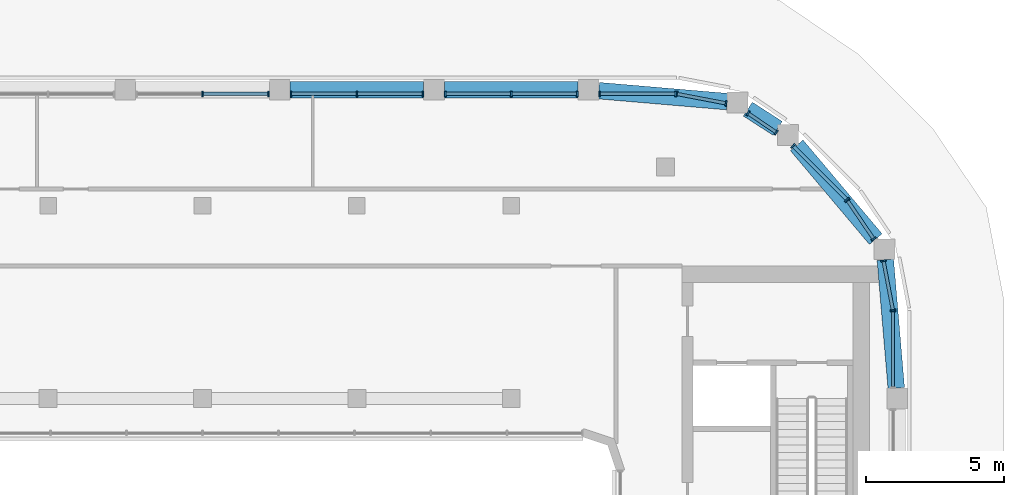
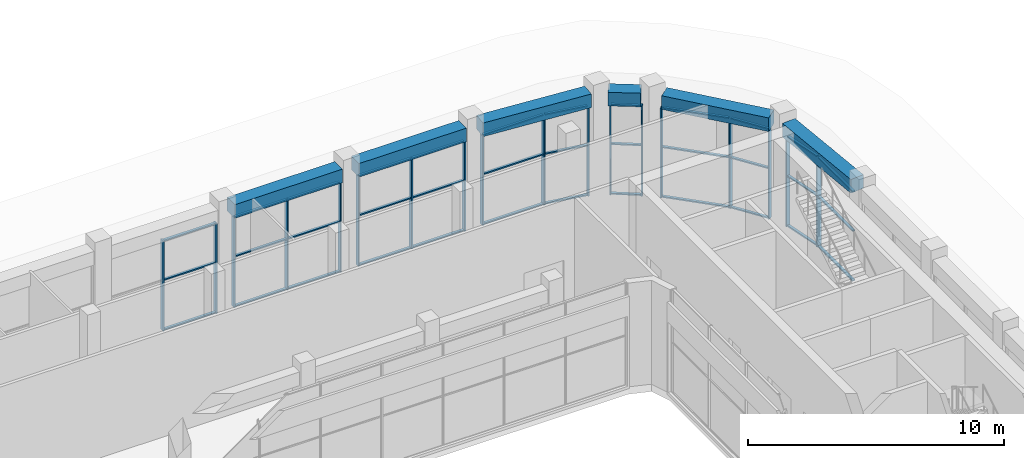
# One storey, part 10 of 24: 57 members, 6 beams, 10 elements without a shape of their own.
"""IFC4 building model written with IfcOpenShell, lengths in metres."""

from ifc_helpers import new_model, si_unit, direction, frame, origin, origin_2d, place, context, subcontext, project, spatial, rectangle, extrude, material, layer, layer_set, material_profile, profile_set, type_object, element, aggregate, save


model = new_model("IFC4")

# Units and contexts
model_context = context("Model", 3, precision=1e-05, world=origin(), true_north=direction((0.0, 1.0)))
body_context = subcontext(model_context, "Body", "Model", "MODEL_VIEW")
ifc_project = project(units=[si_unit("LENGTHUNIT", "METRE"), si_unit("AREAUNIT", "SQUARE_METRE"), si_unit("VOLUMEUNIT", "CUBIC_METRE"), si_unit("PLANEANGLEUNIT", "RADIAN"), si_unit("MASSUNIT", "GRAM", prefix="KILO")], contexts=[model_context])

# Site, building, storey
site_placement = place(None, origin())
site = spatial("IfcSite", under=ifc_project, at=site_placement, CompositionType="ELEMENT")
building_placement = place(site_placement, origin())
building = spatial("IfcBuilding", under=site, at=building_placement, Name="Kiln Ring Residences", CompositionType="ELEMENT")
storey_placement = place(building_placement, frame((0.0, 0.0, 283.699951171875)))
storey = spatial("IfcBuildingStorey", under=building, at=storey_placement, Name="L74", CompositionType="ELEMENT", Elevation=283.699951171875)

# Curtain wall, member
ifc_material_1 = material(Name="Aluminium and glass", Category="aluminium")
ifc_layer = layer(ifc_material_1, 0.199951171875)
ifc_layer_set = layer_set([ifc_layer], Name="CW1 CURTAIN WALL")
curtain_wall_type = type_object("IfcCurtainWallType", Name="CW1 CURTAIN WALL", PredefinedType="NOTDEFINED", material=ifc_layer_set)
placement = place(storey_placement, origin())
curtain_wall_1 = element("IfcCurtainWall", 1, at=placement, inside=storey, type_object=curtain_wall_type, Name="Curtain wall CW1 L74", PredefinedType="NOTDEFINED")
ifc_material_2 = material(Name="Aluminium 6063-T6", Category="aluminium")
ifc_material_profile_1 = material_profile(ifc_material_2, rectangle(XDim=0.199951171875, YDim=0.06005859375, at=origin_2d()), Name="AL 200x60")
ifc_profile_set_1 = profile_set([ifc_material_profile_1], Name="Aluminium 6063-T6")
member_type_1 = type_object("IfcMemberType", Name="CW1 MULLION 200 x 60", PredefinedType="MULLION", material=ifc_profile_set_1)
member_1_placement = place(storey_placement, frame((25.050048828125, 11.570068359375, 0.0), z_axis=(0.0, 0.0, 1.0), x_axis=(-1.0, 0.0, 0.0)))
member_1 = element("IfcMember", 2, at=member_1_placement, type_object=member_type_1, Name="CW1 mullion 2", PredefinedType="MULLION", context=body_context, shape_type="SweptSolid", body=[
    extrude(rectangle(XDim=0.199951171875, YDim=0.06005859375, at=origin_2d()), origin(), (0.0, 0.0, 1.0), 4.300048828125),
])

# Curtain wall, members
curtain_wall_2 = element("IfcCurtainWall", 3, at=placement, inside=storey, type_object=curtain_wall_type, Name="Curtain wall CW1 L74", PredefinedType="NOTDEFINED")
member_2_placement = place(storey_placement, frame((25.047119140625, 11.601318359375, 0.0), z_axis=(0.0, 0.0, 1.0), x_axis=(-0.982290257784, -0.187365550364, 0.0)))
member_2 = element("IfcMember", 4, at=member_2_placement, type_object=member_type_1, Name="CW1 mullion 1", PredefinedType="MULLION", context=body_context, shape_type="SweptSolid", body=[
    extrude(rectangle(XDim=0.199951171875, YDim=0.06005859375, at=origin_2d()), origin(), (0.0, 0.0, 1.0), 4.300048828125),
])
member_3_placement = place(storey_placement, frame((24.705810546875, 13.39013671875, 0.0), z_axis=(0.0, 0.0, 1.0), x_axis=(-0.982290257784, -0.187365550364, 0.0)))
member_3 = element("IfcMember", 5, at=member_3_placement, type_object=member_type_1, Name="CW1 mullion 2", PredefinedType="MULLION", context=body_context, shape_type="SweptSolid", body=[
    extrude(rectangle(XDim=0.199951171875, YDim=0.06005859375, at=origin_2d()), origin(), (0.0, 0.0, 1.0), 4.300048828125),
])

curtain_wall_3 = element("IfcCurtainWall", 6, at=placement, inside=storey, type_object=curtain_wall_type, Name="Curtain wall CW1 L74", PredefinedType="NOTDEFINED")
member_4_placement = place(storey_placement, frame((24.34619140625, 14.189453125, 0.0), z_axis=(0.0, 0.0, 1.0), x_axis=(-0.827071553606, -0.562096651134, 0.0)))
member_4 = element("IfcMember", 7, at=member_4_placement, type_object=member_type_1, Name="CW1 mullion 1", PredefinedType="MULLION", context=body_context, shape_type="SweptSolid", body=[
    extrude(rectangle(XDim=0.199951171875, YDim=0.06005859375, at=origin_2d()), origin(), (0.0, 0.0, 1.0), 4.300048828125),
])
member_5_placement = place(storey_placement, frame((23.395751953125, 15.587890625, 0.0), z_axis=(0.0, 0.0, 1.0), x_axis=(-0.827071553606, -0.562096651134, 0.0)))
member_5 = element("IfcMember", 8, at=member_5_placement, type_object=member_type_1, Name="CW1 mullion 2", PredefinedType="MULLION", context=body_context, shape_type="SweptSolid", body=[
    extrude(rectangle(XDim=0.199951171875, YDim=0.06005859375, at=origin_2d()), origin(), (0.0, 0.0, 1.0), 4.300048828125),
])

curtain_wall_4 = element("IfcCurtainWall", 9, at=placement, inside=storey, type_object=curtain_wall_type, Name="Curtain wall CW1 L74", PredefinedType="NOTDEFINED")
member_6_placement = place(storey_placement, frame((23.375732421875, 15.6123046875, 0.0), z_axis=(0.0, 0.0, 1.0), x_axis=(-0.707106781187, -0.707106781187, 0.0)))
member_6 = element("IfcMember", 10, at=member_6_placement, type_object=member_type_1, Name="CW1 mullion 1", PredefinedType="MULLION", context=body_context, shape_type="SweptSolid", body=[
    extrude(rectangle(XDim=0.199951171875, YDim=0.06005859375, at=origin_2d()), origin(), (0.0, 0.0, 1.0), 4.300048828125),
])
member_7_placement = place(storey_placement, frame((21.42431640625, 17.5634765625, 0.0), z_axis=(0.0, 0.0, 1.0), x_axis=(-0.707106781187, -0.707106781187, 0.0)))
member_7 = element("IfcMember", 11, at=member_7_placement, type_object=member_type_1, Name="CW1 mullion 2", PredefinedType="MULLION", context=body_context, shape_type="SweptSolid", body=[
    extrude(rectangle(XDim=0.199951171875, YDim=0.06005859375, at=origin_2d()), origin(), (0.0, 0.0, 1.0), 4.300048828125),
])

curtain_wall_5 = element("IfcCurtainWall", 12, at=placement, inside=storey, type_object=curtain_wall_type, Name="Curtain wall CW1 L74", PredefinedType="NOTDEFINED")
member_8_placement = place(storey_placement, frame((20.8125, 18.051025390625, 0.0), z_axis=(0.0, 0.0, 1.0), x_axis=(-0.562096651033, -0.827071553674, 0.0)))
member_8 = element("IfcMember", 13, at=member_8_placement, type_object=member_type_1, Name="CW1 mullion 1", PredefinedType="MULLION", context=body_context, shape_type="SweptSolid", body=[
    extrude(rectangle(XDim=0.199951171875, YDim=0.06005859375, at=origin_2d()), origin(), (0.0, 0.0, 1.0), 4.300048828125),
])
member_9_placement = place(storey_placement, frame((19.789306640625, 18.746337890625, 0.0), z_axis=(0.0, 0.0, 1.0), x_axis=(-0.562096651033, -0.827071553674, 0.0)))
member_9 = element("IfcMember", 14, at=member_9_placement, type_object=member_type_1, Name="CW1 mullion 2", PredefinedType="MULLION", context=body_context, shape_type="SweptSolid", body=[
    extrude(rectangle(XDim=0.199951171875, YDim=0.06005859375, at=origin_2d()), origin(), (0.0, 0.0, 1.0), 4.300048828125),
])

curtain_wall_6 = element("IfcCurtainWall", 15, at=placement, inside=storey, type_object=curtain_wall_type, Name="Curtain wall CW1 L74", PredefinedType="NOTDEFINED")
member_10_placement = place(storey_placement, frame((18.990234375, 19.105712890625, 0.0), z_axis=(0.0, 0.0, 1.0), x_axis=(-0.187365550364, -0.982290257784, 0.0)))
member_10 = element("IfcMember", 16, at=member_10_placement, type_object=member_type_1, Name="CW1 mullion 1", PredefinedType="MULLION", context=body_context, shape_type="SweptSolid", body=[
    extrude(rectangle(XDim=0.199951171875, YDim=0.06005859375, at=origin_2d()), origin(), (0.0, 0.0, 1.0), 4.300048828125),
])
member_11_placement = place(storey_placement, frame((17.201416015625, 19.447021484375, 0.0), z_axis=(0.0, 0.0, 1.0), x_axis=(-0.187365550364, -0.982290257784, 0.0)))
member_11 = element("IfcMember", 17, at=member_11_placement, type_object=member_type_1, Name="CW1 mullion 2", PredefinedType="MULLION", context=body_context, shape_type="SweptSolid", body=[
    extrude(rectangle(XDim=0.199951171875, YDim=0.06005859375, at=origin_2d()), origin(), (0.0, 0.0, 1.0), 4.300048828125),
])

curtain_wall_7 = element("IfcCurtainWall", 18, at=placement, inside=storey, type_object=curtain_wall_type, Name="Curtain wall CW1 L74", PredefinedType="NOTDEFINED")
member_12_placement = place(storey_placement, frame((17.169921875, 19.449951171875, 0.0), z_axis=(0.0, 0.0, 1.0), x_axis=(0.0, -1.0, 0.0)))
member_12 = element("IfcMember", 19, at=member_12_placement, type_object=member_type_1, Name="CW1 mullion 1", PredefinedType="MULLION", context=body_context, shape_type="SweptSolid", body=[
    extrude(rectangle(XDim=0.199951171875, YDim=0.06005859375, at=origin_2d()), origin(), (0.0, 0.0, 1.0), 4.300048828125),
])
member_13_placement = place(storey_placement, frame((14.405029296875, 19.449951171875, 0.0), z_axis=(0.0, 0.0, 1.0), x_axis=(0.0, -1.0, 0.0)))
member_13 = element("IfcMember", 20, at=member_13_placement, type_object=member_type_1, Name="CW1 mullion 2", PredefinedType="MULLION", context=body_context, shape_type="SweptSolid", body=[
    extrude(rectangle(XDim=0.199951171875, YDim=0.06005859375, at=origin_2d()), origin(), (0.0, 0.0, 1.0), 4.300048828125),
])

curtain_wall_8 = element("IfcCurtainWall", 21, at=placement, inside=storey, type_object=curtain_wall_type, Name="Curtain wall CW1 L74", PredefinedType="NOTDEFINED")
member_14_placement = place(storey_placement, frame((13.594970703125, 19.449951171875, 0.0), z_axis=(0.0, 0.0, 1.0), x_axis=(0.0, -1.0, 0.0)))
member_14 = element("IfcMember", 22, at=member_14_placement, type_object=member_type_1, Name="CW1 mullion 1", PredefinedType="MULLION", context=body_context, shape_type="SweptSolid", body=[
    extrude(rectangle(XDim=0.199951171875, YDim=0.06005859375, at=origin_2d()), origin(), (0.0, 0.0, 1.0), 4.300048828125),
])
member_15_placement = place(storey_placement, frame((11.199951171875, 19.449951171875, 0.0), z_axis=(0.0, 0.0, 1.0), x_axis=(0.0, -1.0, 0.0)))
member_15 = element("IfcMember", 23, at=member_15_placement, type_object=member_type_1, Name="CW1 mullion 2", PredefinedType="MULLION", context=body_context, shape_type="SweptSolid", body=[
    extrude(rectangle(XDim=0.199951171875, YDim=0.06005859375, at=origin_2d()), origin(), (0.0, 0.0, 1.0), 4.300048828125),
])
member_16_placement = place(storey_placement, frame((8.804931640625, 19.449951171875, 0.0), z_axis=(0.0, 0.0, 1.0), x_axis=(0.0, -1.0, 0.0)))
member_16 = element("IfcMember", 24, at=member_16_placement, type_object=member_type_1, Name="CW1 mullion 3", PredefinedType="MULLION", context=body_context, shape_type="SweptSolid", body=[
    extrude(rectangle(XDim=0.199951171875, YDim=0.06005859375, at=origin_2d()), origin(), (0.0, 0.0, 1.0), 4.300048828125),
])

curtain_wall_9 = element("IfcCurtainWall", 25, at=placement, inside=storey, type_object=curtain_wall_type, Name="Curtain wall CW1 L74", PredefinedType="NOTDEFINED")
member_17_placement = place(storey_placement, frame((7.9951171875, 19.449951171875, 0.0), z_axis=(0.0, 0.0, 1.0), x_axis=(0.0, -1.0, 0.0)))
member_17 = element("IfcMember", 26, at=member_17_placement, type_object=member_type_1, Name="CW1 mullion 1", PredefinedType="MULLION", context=body_context, shape_type="SweptSolid", body=[
    extrude(rectangle(XDim=0.199951171875, YDim=0.06005859375, at=origin_2d()), origin(), (0.0, 0.0, 1.0), 4.300048828125),
])
member_18_placement = place(storey_placement, frame((5.60009765625, 19.449951171875, 0.0), z_axis=(0.0, 0.0, 1.0), x_axis=(0.0, -1.0, 0.0)))
member_18 = element("IfcMember", 27, at=member_18_placement, type_object=member_type_1, Name="CW1 mullion 2", PredefinedType="MULLION", context=body_context, shape_type="SweptSolid", body=[
    extrude(rectangle(XDim=0.199951171875, YDim=0.06005859375, at=origin_2d()), origin(), (0.0, 0.0, 1.0), 4.300048828125),
])
member_19_placement = place(storey_placement, frame((3.205078125, 19.449951171875, 0.0), z_axis=(0.0, 0.0, 1.0), x_axis=(0.0, -1.0, 0.0)))
member_19 = element("IfcMember", 28, at=member_19_placement, type_object=member_type_1, Name="CW1 mullion 3", PredefinedType="MULLION", context=body_context, shape_type="SweptSolid", body=[
    extrude(rectangle(XDim=0.199951171875, YDim=0.06005859375, at=origin_2d()), origin(), (0.0, 0.0, 1.0), 4.300048828125),
])

curtain_wall_10 = element("IfcCurtainWall", 29, at=placement, inside=storey, type_object=curtain_wall_type, Name="Curtain wall CW1 L74", PredefinedType="NOTDEFINED")
member_20_placement = place(storey_placement, frame((2.39501953125, 19.449951171875, 0.0), z_axis=(0.0, 0.0, 1.0), x_axis=(0.0, -1.0, 0.0)))
member_20 = element("IfcMember", 30, at=member_20_placement, type_object=member_type_1, Name="CW1 mullion 1", PredefinedType="MULLION", context=body_context, shape_type="SweptSolid", body=[
    extrude(rectangle(XDim=0.199951171875, YDim=0.06005859375, at=origin_2d()), origin(), (0.0, 0.0, 1.0), 4.300048828125),
])
member_21_placement = place(storey_placement, frame((0.0, 19.449951171875, 0.0), z_axis=(0.0, 0.0, 1.0), x_axis=(0.0, -1.0, 0.0)))
member_21 = element("IfcMember", 31, at=member_21_placement, type_object=member_type_1, Name="CW1 mullion 2", PredefinedType="MULLION", context=body_context, shape_type="SweptSolid", body=[
    extrude(rectangle(XDim=0.199951171875, YDim=0.06005859375, at=origin_2d()), origin(), (0.0, 0.0, 1.0), 4.300048828125),
])

# Member
ifc_material_3 = material(Name="Aluminium 6063-T6", Category="aluminium")
ifc_material_profile_2 = material_profile(ifc_material_3, rectangle(XDim=0.1201171875, YDim=0.06005859375, at=origin_2d()), Name="AL 120x60")
ifc_profile_set_2 = profile_set([ifc_material_profile_2], Name="Aluminium 6063-T6")
member_type_2 = type_object("IfcMemberType", Name="CW1 TRANSOM 120 x 60", PredefinedType="USERDEFINED", material=ifc_profile_set_2)
member_22_placement = place(storey_placement, frame((25.050048828125, 8.8349609375, 0.030029296875), z_axis=(0.0, 1.0, 0.0), x_axis=(-1.0, 0.0, 0.0)))
member_22 = element("IfcMember", 32, at=member_22_placement, type_object=member_type_2, Name="CW1 transom 1.1", ObjectType="TRANSOM", PredefinedType="USERDEFINED", context=body_context, shape_type="SweptSolid", body=[
    extrude(rectangle(XDim=0.1201171875, YDim=0.06005859375, at=origin_2d()), origin(), (0.0, 0.0, 1.0), 2.705078125),
])

member_23_placement = place(storey_placement, frame((25.050048828125, 8.8349609375, 2.400146484375), z_axis=(0.0, 1.0, 0.0), x_axis=(-1.0, 0.0, 0.0)))
member_23 = element("IfcMember", 33, at=member_23_placement, type_object=member_type_2, Name="CW1 transom 1.2", ObjectType="TRANSOM", PredefinedType="USERDEFINED", context=body_context, shape_type="SweptSolid", body=[
    extrude(rectangle(XDim=0.1201171875, YDim=0.06005859375, at=origin_2d()), origin(), (0.0, 0.0, 1.0), 2.705078125),
])

member_24_placement = place(storey_placement, frame((25.050048828125, 8.8349609375, 4.27001953125), z_axis=(0.0, 1.0, 0.0), x_axis=(-1.0, 0.0, 0.0)))
member_24 = element("IfcMember", 34, at=member_24_placement, type_object=member_type_2, Name="CW1 transom 1.3", ObjectType="TRANSOM", PredefinedType="USERDEFINED", context=body_context, shape_type="SweptSolid", body=[
    extrude(rectangle(XDim=0.1201171875, YDim=0.06005859375, at=origin_2d()), origin(), (0.0, 0.0, 1.0), 2.705078125),
])

aggregate(curtain_wall_1, [member_1, member_22, member_23, member_24])

member_25_placement = place(storey_placement, frame((25.04150390625, 11.630859375, 0.030029296875), z_axis=(-0.187417857375, 0.982280279114, 0.0), x_axis=(-0.982280279114, -0.187417857375, 0.0)))
member_25 = element("IfcMember", 35, at=member_25_placement, type_object=member_type_2, Name="CW1 transom 1.1", ObjectType="TRANSOM", PredefinedType="USERDEFINED", context=body_context, shape_type="SweptSolid", body=[
    extrude(rectangle(XDim=0.1201171875, YDim=0.06005859375, at=origin_2d()), origin(), (0.0, 0.0, 1.0), 1.76123046875),
])

member_26_placement = place(storey_placement, frame((25.04150390625, 11.630859375, 2.400146484375), z_axis=(-0.187417857375, 0.982280279114, 0.0), x_axis=(-0.982280279114, -0.187417857375, 0.0)))
member_26 = element("IfcMember", 36, at=member_26_placement, type_object=member_type_2, Name="CW1 transom 1.2", ObjectType="TRANSOM", PredefinedType="USERDEFINED", context=body_context, shape_type="SweptSolid", body=[
    extrude(rectangle(XDim=0.1201171875, YDim=0.06005859375, at=origin_2d()), origin(), (0.0, 0.0, 1.0), 1.76123046875),
])

member_27_placement = place(storey_placement, frame((25.04150390625, 11.630859375, 4.27001953125), z_axis=(-0.187417857375, 0.982280279114, 0.0), x_axis=(-0.982280279114, -0.187417857375, 0.0)))
member_27 = element("IfcMember", 37, at=member_27_placement, type_object=member_type_2, Name="CW1 transom 1.3", ObjectType="TRANSOM", PredefinedType="USERDEFINED", context=body_context, shape_type="SweptSolid", body=[
    extrude(rectangle(XDim=0.1201171875, YDim=0.06005859375, at=origin_2d()), origin(), (0.0, 0.0, 1.0), 1.76123046875),
])

aggregate(curtain_wall_2, [member_2, member_3, member_25, member_26, member_27])

member_28_placement = place(storey_placement, frame((24.329345703125, 14.214111328125, 0.030029296875), z_axis=(-0.562035692516, 0.827112979186, 0.0), x_axis=(-0.827112979186, -0.562035692516, 0.0)))
member_28 = element("IfcMember", 38, at=member_28_placement, type_object=member_type_2, Name="CW1 transom 1.1", ObjectType="TRANSOM", PredefinedType="USERDEFINED", context=body_context, shape_type="SweptSolid", body=[
    extrude(rectangle(XDim=0.1201171875, YDim=0.06005859375, at=origin_2d()), origin(), (0.0, 0.0, 1.0), 1.631103515625),
])

member_29_placement = place(storey_placement, frame((24.329345703125, 14.214111328125, 2.400146484375), z_axis=(-0.562035692516, 0.827112979186, 0.0), x_axis=(-0.827112979186, -0.562035692516, 0.0)))
member_29 = element("IfcMember", 39, at=member_29_placement, type_object=member_type_2, Name="CW1 transom 1.2", ObjectType="TRANSOM", PredefinedType="USERDEFINED", context=body_context, shape_type="SweptSolid", body=[
    extrude(rectangle(XDim=0.1201171875, YDim=0.06005859375, at=origin_2d()), origin(), (0.0, 0.0, 1.0), 1.631103515625),
])

member_30_placement = place(storey_placement, frame((24.329345703125, 14.214111328125, 4.27001953125), z_axis=(-0.562035692516, 0.827112979186, 0.0), x_axis=(-0.827112979186, -0.562035692516, 0.0)))
member_30 = element("IfcMember", 40, at=member_30_placement, type_object=member_type_2, Name="CW1 transom 1.3", ObjectType="TRANSOM", PredefinedType="USERDEFINED", context=body_context, shape_type="SweptSolid", body=[
    extrude(rectangle(XDim=0.1201171875, YDim=0.06005859375, at=origin_2d()), origin(), (0.0, 0.0, 1.0), 1.631103515625),
])

aggregate(curtain_wall_3, [member_4, member_5, member_28, member_29, member_30])

member_31_placement = place(storey_placement, frame((23.3544921875, 15.63330078125, 0.030029296875), z_axis=(-0.707061565419, 0.707151994063, 0.0), x_axis=(-0.707151994063, -0.707061565419, 0.0)))
member_31 = element("IfcMember", 41, at=member_31_placement, type_object=member_type_2, Name="CW1 transom 1.1", ObjectType="TRANSOM", PredefinedType="USERDEFINED", context=body_context, shape_type="SweptSolid", body=[
    extrude(rectangle(XDim=0.1201171875, YDim=0.06005859375, at=origin_2d()), origin(), (0.0, 0.0, 1.0), 2.69970703125),
])

member_32_placement = place(storey_placement, frame((23.3544921875, 15.63330078125, 2.400146484375), z_axis=(-0.707061565419, 0.707151994063, 0.0), x_axis=(-0.707151994063, -0.707061565419, 0.0)))
member_32 = element("IfcMember", 42, at=member_32_placement, type_object=member_type_2, Name="CW1 transom 1.2", ObjectType="TRANSOM", PredefinedType="USERDEFINED", context=body_context, shape_type="SweptSolid", body=[
    extrude(rectangle(XDim=0.1201171875, YDim=0.06005859375, at=origin_2d()), origin(), (0.0, 0.0, 1.0), 2.69970703125),
])

member_33_placement = place(storey_placement, frame((23.3544921875, 15.63330078125, 4.27001953125), z_axis=(-0.707061565419, 0.707151994063, 0.0), x_axis=(-0.707151994063, -0.707061565419, 0.0)))
member_33 = element("IfcMember", 43, at=member_33_placement, type_object=member_type_2, Name="CW1 transom 1.3", ObjectType="TRANSOM", PredefinedType="USERDEFINED", context=body_context, shape_type="SweptSolid", body=[
    extrude(rectangle(XDim=0.1201171875, YDim=0.06005859375, at=origin_2d()), origin(), (0.0, 0.0, 1.0), 2.69970703125),
])

aggregate(curtain_wall_4, [member_6, member_7, member_31, member_32, member_33])

member_34_placement = place(storey_placement, frame((20.78759765625, 18.06787109375, 0.030029296875), z_axis=(-0.827038372833, 0.562145470373, 0.0), x_axis=(-0.562145470373, -0.827038372833, 0.0)))
member_34 = element("IfcMember", 44, at=member_34_placement, type_object=member_type_2, Name="CW1 transom 1.1", ObjectType="TRANSOM", PredefinedType="USERDEFINED", context=body_context, shape_type="SweptSolid", body=[
    extrude(rectangle(XDim=0.1201171875, YDim=0.06005859375, at=origin_2d()), origin(), (0.0, 0.0, 1.0), 1.177001953125),
])

member_35_placement = place(storey_placement, frame((20.78759765625, 18.06787109375, 2.400146484375), z_axis=(-0.827038372833, 0.562145470373, 0.0), x_axis=(-0.562145470373, -0.827038372833, 0.0)))
member_35 = element("IfcMember", 45, at=member_35_placement, type_object=member_type_2, Name="CW1 transom 1.2", ObjectType="TRANSOM", PredefinedType="USERDEFINED", context=body_context, shape_type="SweptSolid", body=[
    extrude(rectangle(XDim=0.1201171875, YDim=0.06005859375, at=origin_2d()), origin(), (0.0, 0.0, 1.0), 1.177001953125),
])

member_36_placement = place(storey_placement, frame((20.78759765625, 18.06787109375, 4.27001953125), z_axis=(-0.827038372833, 0.562145470373, 0.0), x_axis=(-0.562145470373, -0.827038372833, 0.0)))
member_36 = element("IfcMember", 46, at=member_36_placement, type_object=member_type_2, Name="CW1 transom 1.3", ObjectType="TRANSOM", PredefinedType="USERDEFINED", context=body_context, shape_type="SweptSolid", body=[
    extrude(rectangle(XDim=0.1201171875, YDim=0.06005859375, at=origin_2d()), origin(), (0.0, 0.0, 1.0), 1.177001953125),
])

aggregate(curtain_wall_5, [member_8, member_9, member_34, member_35, member_36])

member_37_placement = place(storey_placement, frame((18.960693359375, 19.111328125, 0.030029296875), z_axis=(-0.982280279114, 0.187417857375, 0.0), x_axis=(-0.187417857375, -0.982280279114, 0.0)))
member_37 = element("IfcMember", 47, at=member_37_placement, type_object=member_type_2, Name="CW1 transom 1.1", ObjectType="TRANSOM", PredefinedType="USERDEFINED", context=body_context, shape_type="SweptSolid", body=[
    extrude(rectangle(XDim=0.1201171875, YDim=0.06005859375, at=origin_2d()), origin(), (0.0, 0.0, 1.0), 1.76123046875),
])

member_38_placement = place(storey_placement, frame((18.960693359375, 19.111328125, 2.400146484375), z_axis=(-0.982280279114, 0.187417857375, 0.0), x_axis=(-0.187417857375, -0.982280279114, 0.0)))
member_38 = element("IfcMember", 48, at=member_38_placement, type_object=member_type_2, Name="CW1 transom 1.2", ObjectType="TRANSOM", PredefinedType="USERDEFINED", context=body_context, shape_type="SweptSolid", body=[
    extrude(rectangle(XDim=0.1201171875, YDim=0.06005859375, at=origin_2d()), origin(), (0.0, 0.0, 1.0), 1.76123046875),
])

member_39_placement = place(storey_placement, frame((18.960693359375, 19.111328125, 4.27001953125), z_axis=(-0.982280279114, 0.187417857375, 0.0), x_axis=(-0.187417857375, -0.982280279114, 0.0)))
member_39 = element("IfcMember", 49, at=member_39_placement, type_object=member_type_2, Name="CW1 transom 1.3", ObjectType="TRANSOM", PredefinedType="USERDEFINED", context=body_context, shape_type="SweptSolid", body=[
    extrude(rectangle(XDim=0.1201171875, YDim=0.06005859375, at=origin_2d()), origin(), (0.0, 0.0, 1.0), 1.76123046875),
])

aggregate(curtain_wall_6, [member_10, member_11, member_37, member_38, member_39])

member_40_placement = place(storey_placement, frame((17.139892578125, 19.449951171875, 0.030029296875), z_axis=(-1.0, 0.0, 0.0), x_axis=(0.0, -1.0, 0.0)))
member_40 = element("IfcMember", 50, at=member_40_placement, type_object=member_type_2, Name="CW1 transom 1.1", ObjectType="TRANSOM", PredefinedType="USERDEFINED", context=body_context, shape_type="SweptSolid", body=[
    extrude(rectangle(XDim=0.1201171875, YDim=0.06005859375, at=origin_2d()), origin(), (0.0, 0.0, 1.0), 2.704833984375),
])

member_41_placement = place(storey_placement, frame((17.139892578125, 19.449951171875, 2.400146484375), z_axis=(-1.0, 0.0, 0.0), x_axis=(0.0, -1.0, 0.0)))
member_41 = element("IfcMember", 51, at=member_41_placement, type_object=member_type_2, Name="CW1 transom 1.2", ObjectType="TRANSOM", PredefinedType="USERDEFINED", context=body_context, shape_type="SweptSolid", body=[
    extrude(rectangle(XDim=0.1201171875, YDim=0.06005859375, at=origin_2d()), origin(), (0.0, 0.0, 1.0), 2.704833984375),
])

member_42_placement = place(storey_placement, frame((17.139892578125, 19.449951171875, 4.27001953125), z_axis=(-1.0, 0.0, 0.0), x_axis=(0.0, -1.0, 0.0)))
member_42 = element("IfcMember", 52, at=member_42_placement, type_object=member_type_2, Name="CW1 transom 1.3", ObjectType="TRANSOM", PredefinedType="USERDEFINED", context=body_context, shape_type="SweptSolid", body=[
    extrude(rectangle(XDim=0.1201171875, YDim=0.06005859375, at=origin_2d()), origin(), (0.0, 0.0, 1.0), 2.704833984375),
])

aggregate(curtain_wall_7, [member_12, member_13, member_40, member_41, member_42])

member_43_placement = place(storey_placement, frame((13.56494140625, 19.449951171875, 0.030029296875), z_axis=(-1.0, 0.0, 0.0), x_axis=(0.0, -1.0, 0.0)))
member_43 = element("IfcMember", 53, at=member_43_placement, type_object=member_type_2, Name="CW1 transom 1.1", ObjectType="TRANSOM", PredefinedType="USERDEFINED", context=body_context, shape_type="SweptSolid", body=[
    extrude(rectangle(XDim=0.1201171875, YDim=0.06005859375, at=origin_2d()), origin(), (0.0, 0.0, 1.0), 2.3349609375),
])

member_44_placement = place(storey_placement, frame((13.56494140625, 19.449951171875, 2.400146484375), z_axis=(-1.0, 0.0, 0.0), x_axis=(0.0, -1.0, 0.0)))
member_44 = element("IfcMember", 54, at=member_44_placement, type_object=member_type_2, Name="CW1 transom 1.2", ObjectType="TRANSOM", PredefinedType="USERDEFINED", context=body_context, shape_type="SweptSolid", body=[
    extrude(rectangle(XDim=0.1201171875, YDim=0.06005859375, at=origin_2d()), origin(), (0.0, 0.0, 1.0), 2.3349609375),
])

member_45_placement = place(storey_placement, frame((13.56494140625, 19.449951171875, 4.27001953125), z_axis=(-1.0, 0.0, 0.0), x_axis=(0.0, -1.0, 0.0)))
member_45 = element("IfcMember", 55, at=member_45_placement, type_object=member_type_2, Name="CW1 transom 1.3", ObjectType="TRANSOM", PredefinedType="USERDEFINED", context=body_context, shape_type="SweptSolid", body=[
    extrude(rectangle(XDim=0.1201171875, YDim=0.06005859375, at=origin_2d()), origin(), (0.0, 0.0, 1.0), 2.3349609375),
])

member_46_placement = place(storey_placement, frame((11.169921875, 19.449951171875, 0.030029296875), z_axis=(-1.0, 0.0, 0.0), x_axis=(0.0, -1.0, 0.0)))
member_46 = element("IfcMember", 56, at=member_46_placement, type_object=member_type_2, Name="CW1 transom 2.1", ObjectType="TRANSOM", PredefinedType="USERDEFINED", context=body_context, shape_type="SweptSolid", body=[
    extrude(rectangle(XDim=0.1201171875, YDim=0.06005859375, at=origin_2d()), origin(), (0.0, 0.0, 1.0), 2.3349609375),
])

member_47_placement = place(storey_placement, frame((11.169921875, 19.449951171875, 2.400146484375), z_axis=(-1.0, 0.0, 0.0), x_axis=(0.0, -1.0, 0.0)))
member_47 = element("IfcMember", 57, at=member_47_placement, type_object=member_type_2, Name="CW1 transom 2.2", ObjectType="TRANSOM", PredefinedType="USERDEFINED", context=body_context, shape_type="SweptSolid", body=[
    extrude(rectangle(XDim=0.1201171875, YDim=0.06005859375, at=origin_2d()), origin(), (0.0, 0.0, 1.0), 2.3349609375),
])

member_48_placement = place(storey_placement, frame((11.169921875, 19.449951171875, 4.27001953125), z_axis=(-1.0, 0.0, 0.0), x_axis=(0.0, -1.0, 0.0)))
member_48 = element("IfcMember", 58, at=member_48_placement, type_object=member_type_2, Name="CW1 transom 2.3", ObjectType="TRANSOM", PredefinedType="USERDEFINED", context=body_context, shape_type="SweptSolid", body=[
    extrude(rectangle(XDim=0.1201171875, YDim=0.06005859375, at=origin_2d()), origin(), (0.0, 0.0, 1.0), 2.3349609375),
])

aggregate(curtain_wall_8, [member_14, member_15, member_16, member_43, member_44, member_45, member_46, member_47, member_48])

member_49_placement = place(storey_placement, frame((7.965087890625, 19.449951171875, 0.030029296875), z_axis=(-1.0, 0.0, 0.0), x_axis=(0.0, -1.0, 0.0)))
member_49 = element("IfcMember", 59, at=member_49_placement, type_object=member_type_2, Name="CW1 transom 1.1", ObjectType="TRANSOM", PredefinedType="USERDEFINED", context=body_context, shape_type="SweptSolid", body=[
    extrude(rectangle(XDim=0.1201171875, YDim=0.06005859375, at=origin_2d()), origin(), (0.0, 0.0, 1.0), 2.335205078125),
])

member_50_placement = place(storey_placement, frame((7.965087890625, 19.449951171875, 2.400146484375), z_axis=(-1.0, 0.0, 0.0), x_axis=(0.0, -1.0, 0.0)))
member_50 = element("IfcMember", 60, at=member_50_placement, type_object=member_type_2, Name="CW1 transom 1.2", ObjectType="TRANSOM", PredefinedType="USERDEFINED", context=body_context, shape_type="SweptSolid", body=[
    extrude(rectangle(XDim=0.1201171875, YDim=0.06005859375, at=origin_2d()), origin(), (0.0, 0.0, 1.0), 2.335205078125),
])

member_51_placement = place(storey_placement, frame((7.965087890625, 19.449951171875, 4.27001953125), z_axis=(-1.0, 0.0, 0.0), x_axis=(0.0, -1.0, 0.0)))
member_51 = element("IfcMember", 61, at=member_51_placement, type_object=member_type_2, Name="CW1 transom 1.3", ObjectType="TRANSOM", PredefinedType="USERDEFINED", context=body_context, shape_type="SweptSolid", body=[
    extrude(rectangle(XDim=0.1201171875, YDim=0.06005859375, at=origin_2d()), origin(), (0.0, 0.0, 1.0), 2.335205078125),
])

member_52_placement = place(storey_placement, frame((5.570068359375, 19.449951171875, 0.030029296875), z_axis=(-1.0, 0.0, 0.0), x_axis=(0.0, -1.0, 0.0)))
member_52 = element("IfcMember", 62, at=member_52_placement, type_object=member_type_2, Name="CW1 transom 2.1", ObjectType="TRANSOM", PredefinedType="USERDEFINED", context=body_context, shape_type="SweptSolid", body=[
    extrude(rectangle(XDim=0.1201171875, YDim=0.06005859375, at=origin_2d()), origin(), (0.0, 0.0, 1.0), 2.3349609375),
])

member_53_placement = place(storey_placement, frame((5.570068359375, 19.449951171875, 2.400146484375), z_axis=(-1.0, 0.0, 0.0), x_axis=(0.0, -1.0, 0.0)))
member_53 = element("IfcMember", 63, at=member_53_placement, type_object=member_type_2, Name="CW1 transom 2.2", ObjectType="TRANSOM", PredefinedType="USERDEFINED", context=body_context, shape_type="SweptSolid", body=[
    extrude(rectangle(XDim=0.1201171875, YDim=0.06005859375, at=origin_2d()), origin(), (0.0, 0.0, 1.0), 2.3349609375),
])

member_54_placement = place(storey_placement, frame((5.570068359375, 19.449951171875, 4.27001953125), z_axis=(-1.0, 0.0, 0.0), x_axis=(0.0, -1.0, 0.0)))
member_54 = element("IfcMember", 64, at=member_54_placement, type_object=member_type_2, Name="CW1 transom 2.3", ObjectType="TRANSOM", PredefinedType="USERDEFINED", context=body_context, shape_type="SweptSolid", body=[
    extrude(rectangle(XDim=0.1201171875, YDim=0.06005859375, at=origin_2d()), origin(), (0.0, 0.0, 1.0), 2.3349609375),
])

aggregate(curtain_wall_9, [member_17, member_18, member_19, member_49, member_50, member_51, member_52, member_53, member_54])

member_55_placement = place(storey_placement, frame((2.364990234375, 19.449951171875, 0.030029296875), z_axis=(-1.0, 0.0, 0.0), x_axis=(0.0, -1.0, 0.0)))
member_55 = element("IfcMember", 65, at=member_55_placement, type_object=member_type_2, Name="CW1 transom 1.1", ObjectType="TRANSOM", PredefinedType="USERDEFINED", context=body_context, shape_type="SweptSolid", body=[
    extrude(rectangle(XDim=0.1201171875, YDim=0.06005859375, at=origin_2d()), origin(), (0.0, 0.0, 1.0), 2.3349609375),
])

member_56_placement = place(storey_placement, frame((2.364990234375, 19.449951171875, 2.400146484375), z_axis=(-1.0, 0.0, 0.0), x_axis=(0.0, -1.0, 0.0)))
member_56 = element("IfcMember", 66, at=member_56_placement, type_object=member_type_2, Name="CW1 transom 1.2", ObjectType="TRANSOM", PredefinedType="USERDEFINED", context=body_context, shape_type="SweptSolid", body=[
    extrude(rectangle(XDim=0.1201171875, YDim=0.06005859375, at=origin_2d()), origin(), (0.0, 0.0, 1.0), 2.3349609375),
])

member_57_placement = place(storey_placement, frame((2.364990234375, 19.449951171875, 4.27001953125), z_axis=(-1.0, 0.0, 0.0), x_axis=(0.0, -1.0, 0.0)))
member_57 = element("IfcMember", 67, at=member_57_placement, type_object=member_type_2, Name="CW1 transom 1.3", ObjectType="TRANSOM", PredefinedType="USERDEFINED", context=body_context, shape_type="SweptSolid", body=[
    extrude(rectangle(XDim=0.1201171875, YDim=0.06005859375, at=origin_2d()), origin(), (0.0, 0.0, 1.0), 2.3349609375),
])

aggregate(curtain_wall_10, [member_20, member_21, member_55, member_56, member_57])

# Beams
ifc_material_4 = material(Name="Concrete C50/60", Category="concrete")
ifc_material_profile_3 = material_profile(ifc_material_4, rectangle(XDim=0.60009765625, YDim=0.64990234375, at=origin_2d()), Name="RC600x650")
ifc_profile_set_3 = profile_set([ifc_material_profile_3], Name="Concrete C50/60")
beam_type = type_object("IfcBeamType", Name="Spandrel beam RC600x650 C50/60", PredefinedType="SPANDREL", material=ifc_profile_set_3)
beam_1_placement = place(storey_placement, frame((25.16796875, 8.77490234375, 4.625), z_axis=(-0.085110864913, 0.996371487285, 0.0), x_axis=(-0.996371487285, -0.085110864913, 0.0)))
element("IfcBeam", 68, at=beam_1_placement, inside=storey, type_object=beam_type, Name="Spandrel beam L74 14", PredefinedType="SPANDREL", context=body_context, shape_type="SweptSolid", body=[
    extrude(rectangle(XDim=0.60009765625, YDim=0.64990234375, at=origin_2d()), origin(), (0.0, 0.0, 1.0), 4.675537109375),
])
beam_2_placement = place(storey_placement, frame((24.422119140625, 14.18359375, 4.625), z_axis=(-0.644380815325, 0.764704756648, 0.0), x_axis=(-0.764704756648, -0.644380815325, 0.0)))
element("IfcBeam", 69, at=beam_2_placement, inside=storey, type_object=beam_type, Name="Spandrel beam L74 15", PredefinedType="SPANDREL", context=body_context, shape_type="SweptSolid", body=[
    extrude(rectangle(XDim=0.60009765625, YDim=0.64990234375, at=origin_2d()), origin(), (0.0, 0.0, 1.0), 4.447509765625),
])
beam_3_placement = place(storey_placement, frame((20.865234375, 18.201171875, 4.625), z_axis=(-0.841079761586, 0.540911115295, 0.0), x_axis=(-0.540911115295, -0.841079761586, 0.0)))
element("IfcBeam", 70, at=beam_3_placement, inside=storey, type_object=beam_type, Name="Spandrel beam L74 16", PredefinedType="SPANDREL", context=body_context, shape_type="SweptSolid", body=[
    extrude(rectangle(XDim=0.60009765625, YDim=0.64990234375, at=origin_2d()), origin(), (0.0, 0.0, 1.0), 1.285888671875),
])
beam_4_placement = place(storey_placement, frame((19.03369140625, 19.170166015625, 4.625), z_axis=(-0.996375913916, 0.085059027553, 0.0), x_axis=(-0.085059027553, -0.996375913916, 0.0)))
element("IfcBeam", 71, at=beam_4_placement, inside=storey, type_object=beam_type, Name="Spandrel beam L74 17", PredefinedType="SPANDREL", context=body_context, shape_type="SweptSolid", body=[
    extrude(rectangle(XDim=0.60009765625, YDim=0.64990234375, at=origin_2d()), origin(), (0.0, 0.0, 1.0), 4.675537109375),
])
beam_5_placement = place(storey_placement, frame((13.625, 19.60009765625, 4.625), z_axis=(-1.0, 0.0, 0.0), x_axis=(0.0, -1.0, 0.0)))
element("IfcBeam", 72, at=beam_5_placement, inside=storey, type_object=beam_type, Name="Spandrel beam L74 18", PredefinedType="SPANDREL", context=body_context, shape_type="SweptSolid", body=[
    extrude(rectangle(XDim=0.60009765625, YDim=0.64990234375, at=origin_2d()), origin(), (0.0, 0.0, 1.0), 4.85009765625),
])
beam_6_placement = place(storey_placement, frame((8.02490234375, 19.60009765625, 4.625), z_axis=(-1.0, 0.0, 0.0), x_axis=(0.0, -1.0, 0.0)))
element("IfcBeam", 73, at=beam_6_placement, inside=storey, type_object=beam_type, Name="Spandrel beam L74 19", PredefinedType="SPANDREL", context=body_context, shape_type="SweptSolid", body=[
    extrude(rectangle(XDim=0.60009765625, YDim=0.64990234375, at=origin_2d()), origin(), (0.0, 0.0, 1.0), 4.849853515625),
])

save(model, "model.ifc")
